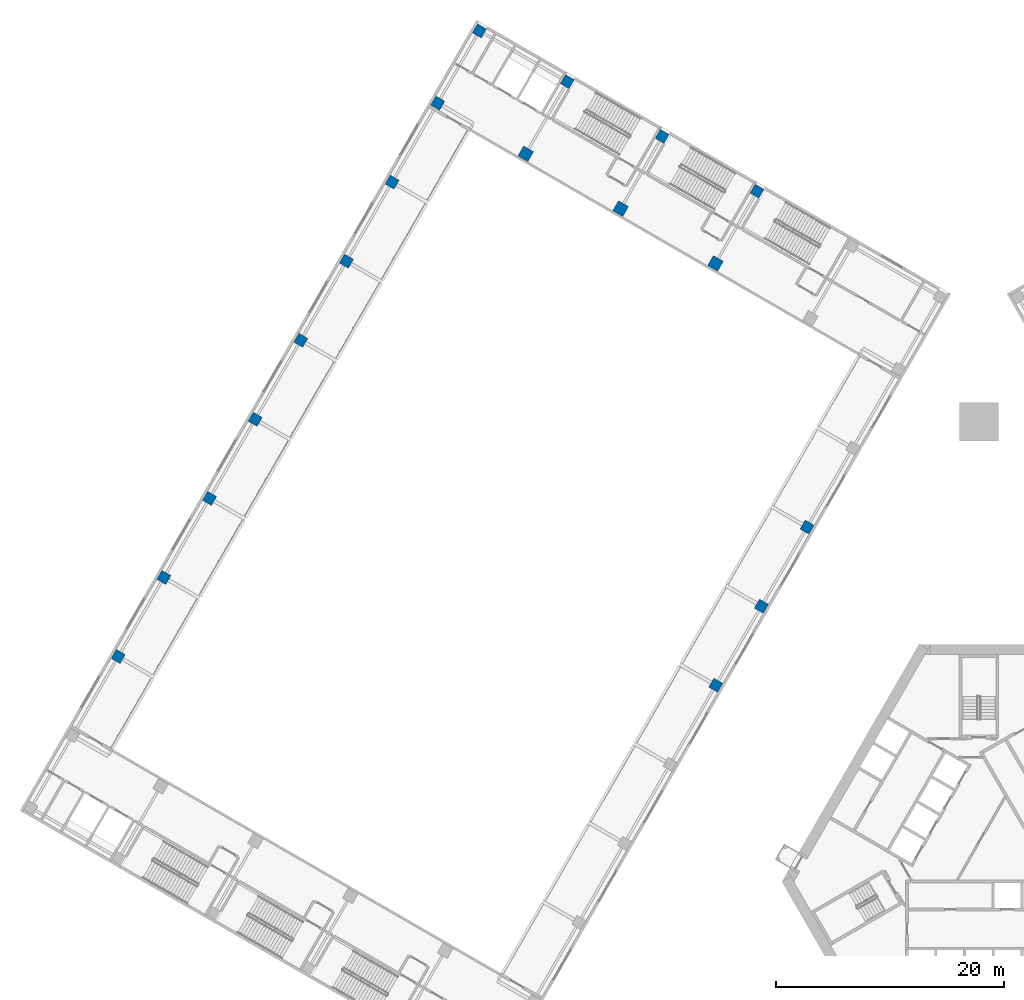
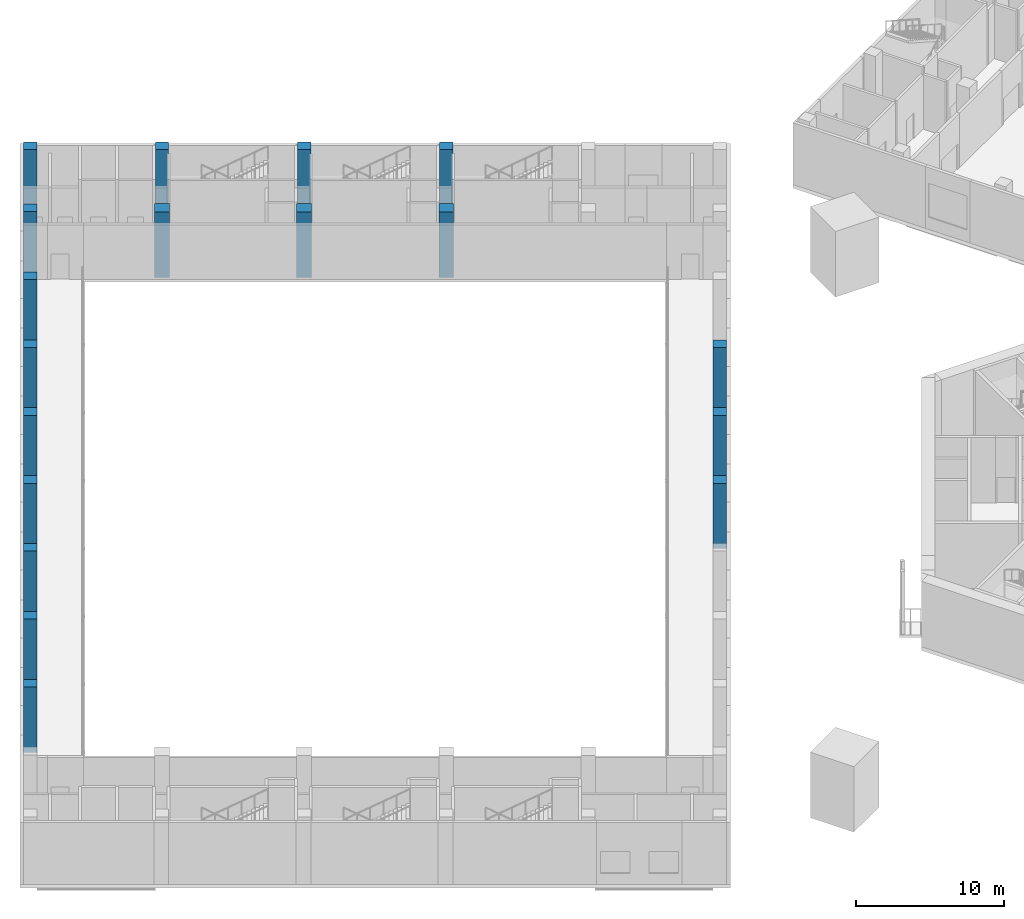
# One storey, part 3 of 35: 18 columns.
"""IFC4 building model written with IfcOpenShell, lengths in metres."""

import ifcopenshell
import ifcopenshell.guid

model = None  # the IFC model being written
_history = None  # IfcOwnerHistory: only IFC2X3 demands one
_inside = {}  # id of a spatial element -> (the spatial element, [elements in it])
_under = {}  # id of a project, library or spatial element -> (it, [spatial elements below it])
_declared = {}  # id of a project -> (the project, [libraries it declares])
_typed = {}  # id of a type object -> (the type object, [elements of that type])
_made_of = {}  # id of a material, layer set ... -> (it, [elements and type objects made of it])


def new_model(schema):
    """Start an empty IFC model of exactly this schema.

    Asked for "IFC4X3", IfcOpenShell would pick the latest addendum, in which some entities
    have other attributes; the version numbers below select the first issue.
    IFC2X3 requires an IfcOwnerHistory on every rooted entity: one is made here for all.
    """
    global model, _history
    if schema == "IFC4X3":
        model = ifcopenshell.file(schema_version=(4, 3, 0, 0))
    else:
        model = ifcopenshell.file(schema=schema)
    _inside.clear()
    _under.clear()
    _declared.clear()
    _typed.clear()
    _made_of.clear()
    _history = None
    if model.schema == "IFC2X3":
        org = make("IfcOrganization", Name="unknown")
        user = make(
            "IfcPersonAndOrganization",
            ThePerson=make("IfcPerson", FamilyName="unknown"),
            TheOrganization=org,
        )
        app = make(
            "IfcApplication",
            ApplicationDeveloper=org,
            Version="unknown",
            ApplicationFullName="unknown",
            ApplicationIdentifier="unknown",
        )
        _history = make(
            "IfcOwnerHistory",
            OwningUser=user,
            OwningApplication=app,
            ChangeAction="ADDED",
            CreationDate=0,
        )
    return model


def make(cls, **values):
    """One entity of the class cls with the attributes given. An attribute that is None is left unset."""
    return model.create_entity(
        cls, **{name: value for name, value in values.items() if value is not None}
    )


def rooted(cls, **values):
    """An entity with a GlobalId (a new one), such as an element, a storey or a relation."""
    return make(cls, GlobalId=ifcopenshell.guid.new(), OwnerHistory=_history, **values)


def si_unit(unit_type, name, prefix=None):
    """IfcSIUnit, for example si_unit("LENGTHUNIT", "METRE", prefix="MILLI")."""
    return make("IfcSIUnit", UnitType=unit_type, Prefix=prefix, Name=name)


def assignment(units):
    """IfcUnitAssignment: the units of a project."""
    return None if units is None else make("IfcUnitAssignment", Units=units)


def point(xyz):
    """IfcCartesianPoint."""
    return None if xyz is None else make("IfcCartesianPoint", Coordinates=xyz)


def direction(xyz):
    """IfcDirection."""
    return None if xyz is None else make("IfcDirection", DirectionRatios=xyz)


def frame(location, z_axis=None, x_axis=None):
    """IfcAxis2Placement3D, a coordinate frame: its origin and axes. An axis left out is left unset."""
    return make(
        "IfcAxis2Placement3D",
        Location=point(location),
        Axis=direction(z_axis),
        RefDirection=direction(x_axis),
    )


def frame_2d(location, x_axis=None):
    """IfcAxis2Placement2D, a coordinate frame in the plane: its origin and x axis."""
    return make(
        "IfcAxis2Placement2D", Location=point(location), RefDirection=direction(x_axis)
    )


def origin():
    """The frame at (0, 0, 0) with its axes left unset."""
    return frame((0.0, 0.0, 0.0))


def origin_2d():
    """The frame at (0, 0) in the plane with its x axis left unset."""
    return frame_2d((0.0, 0.0))


def place(relative_to, where):
    """IfcLocalPlacement: puts the frame where relative to a parent placement (None: the world)."""
    return make(
        "IfcLocalPlacement", PlacementRelTo=relative_to, RelativePlacement=where
    )


def context(
    kind, dimensions, precision=None, world=None, true_north=None, identifier=None
):
    """IfcGeometricRepresentationContext, for example the 3D "Model" context."""
    return make(
        "IfcGeometricRepresentationContext",
        ContextIdentifier=identifier,
        ContextType=kind,
        CoordinateSpaceDimension=dimensions,
        Precision=precision,
        WorldCoordinateSystem=world,
        TrueNorth=true_north,
    )


def subcontext(parent, identifier, kind, view, scale=None):
    """IfcGeometricRepresentationSubContext, for example "Body" below "Model"."""
    return make(
        "IfcGeometricRepresentationSubContext",
        ContextIdentifier=identifier,
        ContextType=kind,
        ParentContext=parent,
        TargetScale=scale,
        TargetView=view,
    )


def project(units=None, contexts=None):
    """IfcProject with its units and contexts."""
    return rooted(
        "IfcProject",
        Name="project",
        RepresentationContexts=contexts,
        UnitsInContext=assignment(units),
    )


def spatial(cls, under=None, at=None, **own):
    """A site, building, storey or space (cls), placed at a placement, below another one or the project."""
    s = rooted(cls, ObjectPlacement=at, **own)
    if under is not None:
        _under.setdefault(under.id(), (under, []))[1].append(s)
    return s


def profile(cls, at=None, kind="AREA", **sizes):
    """A parametric profile (cls). Its sizes go by their IFC names, for example OverallWidth=200.0."""
    return make(cls, ProfileType=kind, Position=at, **sizes)


def rectangle(**sizes):
    """IfcRectangleProfileDef."""
    return profile("IfcRectangleProfileDef", **sizes)


def extrude(swept, where, along, depth):
    """IfcExtrudedAreaSolid: the profile swept, set in the frame where, extruded along a direction by depth."""
    return make(
        "IfcExtrudedAreaSolid",
        SweptArea=swept,
        Position=where,
        ExtrudedDirection=direction(along),
        Depth=depth,
    )


def shape(context_of_items, identifier, shape_type, items):
    """IfcShapeRepresentation: the items that make up one representation, for example the "Body"."""
    return make(
        "IfcShapeRepresentation",
        ContextOfItems=context_of_items,
        RepresentationIdentifier=identifier,
        RepresentationType=shape_type,
        Items=items,
    )


def material(Name=None, Category=None):
    """IfcMaterial."""
    return make("IfcMaterial", Name=Name, Category=Category)


def material_profile(
    of_material, cross_section, Name=None, Category=None, Priority=None
):
    """IfcMaterialProfile: a cross section and its material."""
    return make(
        "IfcMaterialProfile",
        Name=Name,
        Material=of_material,
        Profile=cross_section,
        Priority=Priority,
        Category=Category,
    )


def profile_set(profiles, Name=None, composite=None):
    """IfcMaterialProfileSet."""
    return make(
        "IfcMaterialProfileSet",
        Name=Name,
        MaterialProfiles=profiles,
        CompositeProfile=composite,
    )


def made_of(thing, what):
    """Note that an element or type object is made of a material, layer set ...; save() writes the relation."""
    if what is not None:
        _made_of.setdefault(what.id(), (what, []))[1].append(thing)
    return thing


def type_object(cls, material=None, **own):
    """A type object (cls), such as IfcWallType, which elements share."""
    return made_of(rooted(cls, **own), material)


def element(
    cls,
    number,
    at=None,
    inside=None,
    cuts=None,
    type_object=None,
    material=None,
    context=None,
    identifier="Body",
    shape_type=None,
    held_by="IfcProductDefinitionShape",
    body=None,
    shapes=None,
    **own,
):
    """One element of the class cls, such as IfcWall. Its Tag is "e" and its number.

    at: its placement. inside: the storey or other place that contains it. cuts: it is an
    opening in that element (IfcRelVoidsElement). A single representation is given by context,
    identifier, shape_type and body (its items); several are given by shapes. held_by: the class
    of the entity that holds the representations. save() writes the other relations.
    """
    e = rooted(cls, Tag="e%d" % number, ObjectPlacement=at, **own)
    if body is not None:
        shapes = [shape(context, identifier, shape_type, body)]
    if shapes is not None:
        e.Representation = make(held_by, Representations=shapes)
    if inside is not None:
        _inside.setdefault(inside.id(), (inside, []))[1].append(e)
    if cuts is not None:
        rooted(
            "IfcRelVoidsElement", RelatingBuildingElement=cuts, RelatedOpeningElement=e
        )
    if type_object is not None:
        _typed.setdefault(type_object.id(), (type_object, []))[1].append(e)
    return made_of(e, material)


def aggregate(whole, parts):
    """IfcRelAggregates: a whole, such as a stair, and the parts it consists of."""
    return rooted("IfcRelAggregates", RelatingObject=whole, RelatedObjects=parts)


def save(model, path):
    """Write the relations noted so far, then the file.

    IfcRelAggregates (storeys below a building ...), IfcRelContainedInSpatialStructure (elements
    in a storey), IfcRelDefinesByType, IfcRelAssociatesMaterial and IfcRelDeclares: one each for
    every whole, place, type object, material and project.
    """
    for whole, parts in _under.values():
        aggregate(whole, parts)
    for where, things in _inside.values():
        rooted(
            "IfcRelContainedInSpatialStructure",
            RelatedElements=things,
            RelatingStructure=where,
        )
    for kind, things in _typed.values():
        rooted("IfcRelDefinesByType", RelatedObjects=things, RelatingType=kind)
    for what, things in _made_of.values():
        rooted("IfcRelAssociatesMaterial", RelatedObjects=things, RelatingMaterial=what)
    for by, libraries in _declared.values():
        rooted("IfcRelDeclares", RelatingContext=by, RelatedDefinitions=libraries)
    model.write(path)


model = new_model("IFC4")

# Units and contexts
model_context = context("Model", 3, precision=1e-05, world=origin(), true_north=direction((0.0, 1.0)))
body_context = subcontext(model_context, "Body", "Model", "MODEL_VIEW")
ifc_project = project(units=[si_unit("LENGTHUNIT", "METRE"), si_unit("AREAUNIT", "SQUARE_METRE"), si_unit("VOLUMEUNIT", "CUBIC_METRE"), si_unit("PLANEANGLEUNIT", "RADIAN"), si_unit("MASSUNIT", "GRAM", prefix="KILO")], contexts=[model_context])

# Site, building, storey
site_placement = place(None, origin())
site = spatial("IfcSite", under=ifc_project, at=site_placement, CompositionType="ELEMENT")
building_placement = place(site_placement, origin())
building = spatial("IfcBuilding", under=site, at=building_placement, Name="Mestral Congress Tower", CompositionType="ELEMENT")
storey_placement = place(building_placement, frame((0.0, 0.0, 6.0)))
storey = spatial("IfcBuildingStorey", under=building, at=storey_placement, Name="L01", CompositionType="ELEMENT", Elevation=6.0)

# Columns
ifc_material_1 = material(Name="Concrete C60/75", Category="concrete")
ifc_material_profile_1 = material_profile(ifc_material_1, rectangle(XDim=1.0, YDim=1.0, at=origin_2d()), Name="RC 1000x1000")
ifc_profile_set_1 = profile_set([ifc_material_profile_1], Name="Concrete C60/75")
column_type_1 = type_object("IfcColumnType", Name="Podium column RC 1000x1000 C60/75", PredefinedType="COLUMN", material=ifc_profile_set_1)
for number, where, z_axis, x_axis, name in (
    (1, (-23.08203125, 50.27685546875, 0.0), (0.0, 0.0, 1.0), (-0.5, -0.866025403784, 0.0), "COL-L01-PC-W-02C"),
    (2, (-31.395751953125, 55.076904296875, 0.0), (0.0, 0.0, 1.0), (-0.5, -0.866025403784, 0.0), "COL-L01-PC-W-02D"),
    (3, (-39.709716796875, 59.876708984375, 0.0), (0.0, 0.0, 1.0), (-0.5, -0.866025403784, 0.0), "COL-L01-PC-W-02E"),
):
    element("IfcColumn", number, at=place(storey_placement, frame(where, z_axis=z_axis, x_axis=x_axis)), inside=storey, type_object=column_type_1, Name=name, PredefinedType="COLUMN", context=body_context, shape_type="SweptSolid", body=[
        extrude(rectangle(XDim=1.0, YDim=1.0, at=origin_2d()), origin(), (0.0, 0.0, 1.0), 5.39990234375),
    ])
ifc_material_2 = material(Name="Concrete C50/60", Category="concrete")
ifc_material_profile_2 = material_profile(ifc_material_2, rectangle(XDim=0.89990234375, YDim=0.89990234375, at=origin_2d()), Name="RC 900x900")
ifc_profile_set_2 = profile_set([ifc_material_profile_2], Name="Concrete C50/60")
column_type_2 = type_object("IfcColumnType", Name="Podium column RC 900x900 C50/60", PredefinedType="COLUMN", material=ifc_profile_set_2)
for number, where, z_axis, x_axis, name in (
    (4, (-19.431884765625, 56.598876953125, 0.0), (0.0, 0.0, 1.0), (-0.5, -0.866025403784, 0.0), "COL-L01-PC-W-01C"),
    (5, (-27.745849609375, 61.398681640625, 0.0), (0.0, 0.0, 1.0), (-0.5, -0.866025403784, 0.0), "COL-L01-PC-W-01D"),
    (6, (-36.059814453125, 66.19873046875, 0.0), (0.0, 0.0, 1.0), (-0.5, -0.866025403784, 0.0), "COL-L01-PC-W-01E"),
    (7, (-43.767333984375, 70.648681640625, 0.0), (0.0, 0.0, 1.0), (-0.5, -0.866025403784, 0.0), "COL-L01-PC-W-01F"),
    (8, (-47.417236328125, 64.326904296875, 0.0), (0.0, 0.0, 1.0), (-0.5, -0.866025403784, 0.0), "COL-L01-PC-W-02F"),
    (9, (-51.417236328125, 57.398681640625, 0.0), (0.0, 0.0, 1.0), (-0.5, -0.866025403784, 0.0), "COL-L01-PC-W-03F"),
    (10, (-15.060546875, 27.17041015625, 0.0), (0.0, 0.0, 1.0), (-0.5, -0.866025403784, 0.0), "COL-L01-PC-W-04A"),
    (11, (-55.417236328125, 50.470458984375, 0.0), (0.0, 0.0, 1.0), (-0.5, -0.866025403784, 0.0), "COL-L01-PC-W-04F"),
    (12, (-19.060546875, 20.2421875, 0.0), (0.0, 0.0, 1.0), (-0.5, -0.866025403784, 0.0), "COL-L01-PC-W-05A"),
    (13, (-59.417236328125, 43.542236328125, 0.0), (0.0, 0.0, 1.0), (-0.5, -0.866025403784, 0.0), "COL-L01-PC-W-05F"),
    (14, (-23.060546875, 13.31396484375, 0.0), (0.0, 0.0, 1.0), (-0.5, -0.866025403784, 0.0), "COL-L01-PC-W-06A"),
    (15, (-63.417236328125, 36.614013671875, 0.0), (0.0, 0.0, 1.0), (-0.5, -0.866025403784, 0.0), "COL-L01-PC-W-06F"),
    (16, (-67.417236328125, 29.685791015625, 0.0), (0.0, 0.0, 1.0), (-0.5, -0.866025403784, 0.0), "COL-L01-PC-W-07F"),
    (17, (-71.417236328125, 22.757568359375, 0.0), (0.0, 0.0, 1.0), (-0.5, -0.866025403784, 0.0), "COL-L01-PC-W-08F"),
    (18, (-75.417236328125, 15.829345703125, 0.0), (0.0, 0.0, 1.0), (-0.5, -0.866025403784, 0.0), "COL-L01-PC-W-09F"),
):
    element("IfcColumn", number, at=place(storey_placement, frame(where, z_axis=z_axis, x_axis=x_axis)), inside=storey, type_object=column_type_2, Name=name, PredefinedType="COLUMN", context=body_context, shape_type="SweptSolid", body=[
        extrude(rectangle(XDim=0.89990234375, YDim=0.89990234375, at=origin_2d()), origin(), (0.0, 0.0, 1.0), 5.39990234375),
    ])

save(model, "model.ifc")
